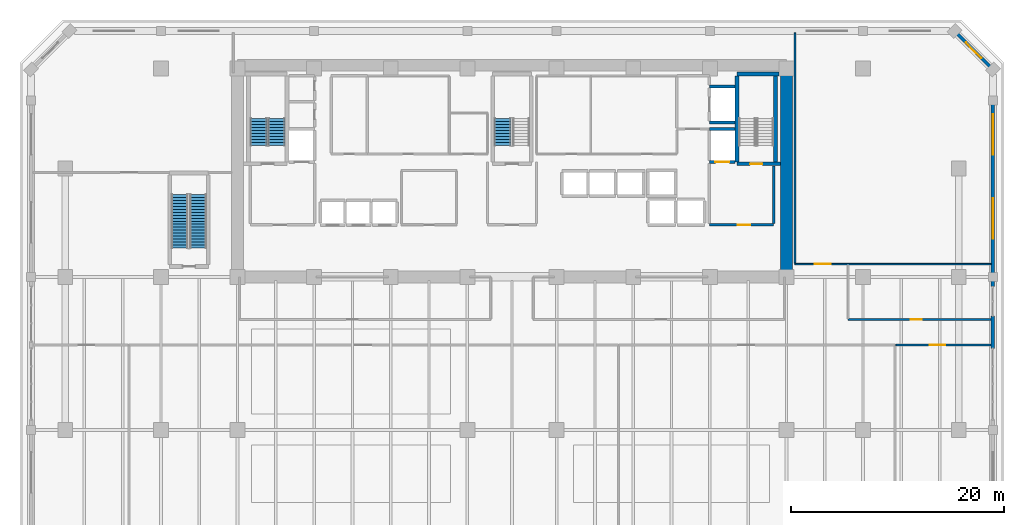
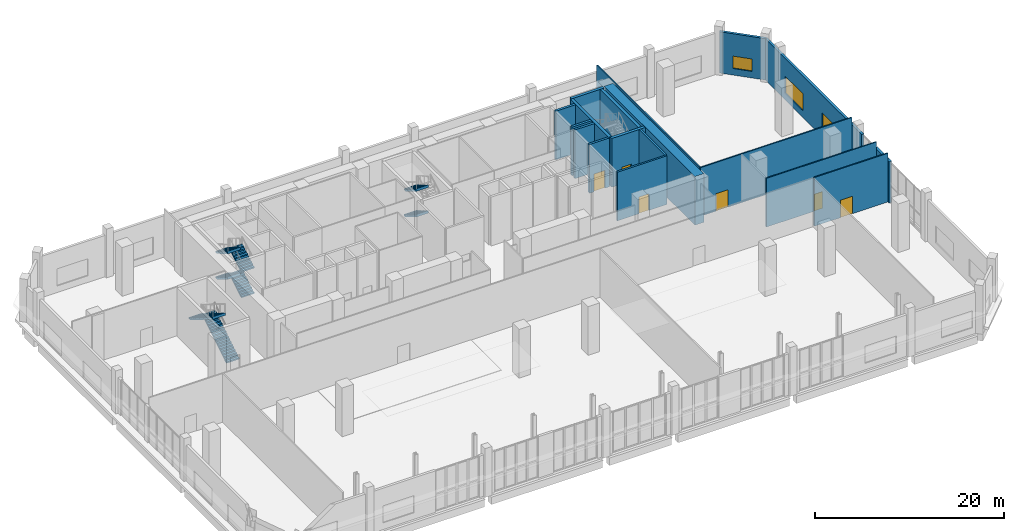
# One storey, part 25 of 29: 18 walls, 8 stair flights, 6 doors, 3 windows, 9 openings, 3 elements without a shape of their own.
"""IFC4 building model written with IfcOpenShell, lengths in metres."""

from ifc_helpers import new_model, si_unit, direction, frame, frame_2d, origin, place, context, subcontext, project, spatial, polyline, rectangle, outline, extrude, material, layer, layer_set, type_object, element, fill, aggregate, save


model = new_model("IFC4")

# Units and contexts
model_context = context("Model", 3, precision=1e-05, world=origin(), true_north=direction((0.0, 1.0)))
body_context = subcontext(model_context, "Body", "Model", "MODEL_VIEW")
ifc_project = project(units=[si_unit("LENGTHUNIT", "METRE"), si_unit("AREAUNIT", "SQUARE_METRE"), si_unit("VOLUMEUNIT", "CUBIC_METRE"), si_unit("PLANEANGLEUNIT", "RADIAN"), si_unit("MASSUNIT", "GRAM", prefix="KILO")], contexts=[model_context])

# Site, building, storey
site_placement = place(None, origin())
site = spatial("IfcSite", under=ifc_project, at=site_placement, CompositionType="ELEMENT")
building_placement = place(site_placement, origin())
building = spatial("IfcBuilding", under=site, at=building_placement, Name="Kaelvorn Grand Hotel", CompositionType="ELEMENT")
storey_placement = place(building_placement, frame((0.0, 0.0, 19.39990234375)))
storey = spatial("IfcBuildingStorey", under=building, at=storey_placement, Name="L03", CompositionType="ELEMENT", Elevation=19.39990234375)

# Walls
ifc_material_1 = material(Name="Concrete C80/95", Category="concrete")
ifc_layer_1 = layer(ifc_material_1, 1.10009765625)
ifc_layer_set_1 = layer_set([ifc_layer_1], Name="Concrete C80/95")
wall_type_1 = type_object("IfcWallType", Name="WL-CORE-1100-C80", PredefinedType="SHEAR", material=ifc_layer_set_1)
wall_1_placement = place(storey_placement, frame((67.800048828125, 29.39990234375, 0.0), z_axis=(0.0, 0.0, 1.0), x_axis=(0.0, 1.0, 0.0)))
element("IfcWall", 1, at=wall_1_placement, inside=storey, type_object=wall_type_1, Name="L03 Rear-Core East Shear Wall", PredefinedType="SHEAR", context=body_context, shape_type="SweptSolid", body=[
    extrude(rectangle(XDim=19.2001953125, YDim=1.10009765625, at=frame_2d((9.60009765625, 0.0))), origin(), (0.0, 0.0, 1.0), 6.280029296875),
])
ifc_material_2 = material(Name="Concrete C40/50", Category="concrete")
ifc_layer_2 = layer(ifc_material_2, 0.300048828125)
ifc_layer_set_2 = layer_set([ifc_layer_2], Name="Concrete C40/50")
wall_type_2 = type_object("IfcWallType", Name="WL-EXT-300-C40", PredefinedType="SOLIDWALL", material=ifc_layer_set_2)
wall_2_placement = place(storey_placement, frame((87.199951171875, 22.675048828125, 0.0), z_axis=(0.0, 0.0, 1.0), x_axis=(0.0, 1.0, 0.0)))
element("IfcWall", 2, at=wall_2_placement, inside=storey, type_object=wall_type_2, Name="L03 Exterior Architectural Concrete Wall 03 Pier 2", PredefinedType="SOLIDWALL", context=body_context, shape_type="SweptSolid", body=[
    extrude(rectangle(XDim=3.050048828125, YDim=0.300048828125, at=frame_2d((1.52490234375, 0.0))), origin(), (0.0, 0.0, 1.0), 5.330078125),
])

# Wall, openings, windows
wall_3_placement = place(storey_placement, frame((87.199951171875, 28.47509765625, 0.0), z_axis=(0.0, 0.0, 1.0), x_axis=(0.0, 1.0, 0.0)))
wall_3 = element("IfcWall", 3, at=wall_3_placement, inside=storey, type_object=wall_type_2, Name="L03 Exterior Architectural Concrete Wall 03 Pier 3", PredefinedType="SOLIDWALL", context=body_context, shape_type="SweptSolid", body=[
    extrude(rectangle(XDim=20.4248046875, YDim=0.300048828125, at=frame_2d((10.21240234375, 0.0))), origin(), (0.0, 0.0, 1.0), 5.330078125),
])
opening_1_placement = place(wall_3_placement, frame((4.52490234375, 0.0, 0.85009765625)))
opening_1 = element("IfcOpeningElement", 4, at=opening_1_placement, cuts=wall_3, Name="Opening W9", PredefinedType="OPENING", context=body_context, shape_type="SweptSolid", body=[
    extrude(rectangle(XDim=3.800048828125, YDim=2.199951171875, at=frame_2d((1.89990234375, 1.10009765625))), frame((0.0, 0.16015625, 0.0), z_axis=(0.0, -1.0, 0.0), x_axis=(1.0, 0.0, 0.0)), (0.0, 0.0, 1.0), 0.320068359375),
])
opening_2_placement = place(wall_3_placement, frame((12.425048828125, 0.0, 0.85009765625)))
opening_2 = element("IfcOpeningElement", 5, at=opening_2_placement, cuts=wall_3, Name="Opening W9", PredefinedType="OPENING", context=body_context, shape_type="SweptSolid", body=[
    extrude(rectangle(XDim=3.800048828125, YDim=2.199951171875, at=frame_2d((1.89990234375, 1.10009765625))), frame((0.0, 0.16015625, 0.0), z_axis=(0.0, -1.0, 0.0), x_axis=(1.0, 0.0, 0.0)), (0.0, 0.0, 1.0), 0.320068359375),
])
ifc_material_3 = material(Name="Laminated Low-E Glass", Category="glass")
window_type_1 = type_object("IfcWindowType", Name="WIN-POD-3800x2200", PartitioningType="SINGLE_PANEL", PredefinedType="WINDOW", material=ifc_material_3)
window_1_placement = place(opening_1_placement, origin())
window_1 = element("IfcWindow", 6, at=window_1_placement, inside=storey, type_object=window_type_1, Name="L03 Podium E Ribbon Window 1", OverallHeight=2.199951171875, OverallWidth=3.800048828125, PartitioningType="SINGLE_PANEL", PredefinedType="WINDOW", context=body_context, shape_type="SweptSolid", body=[
    extrude(rectangle(XDim=3.800048828125, YDim=2.199951171875, at=frame_2d((1.89990234375, 1.10009765625))), frame((0.0, 0.030029296875, 0.0), z_axis=(0.0, -1.0, 0.0), x_axis=(1.0, 0.0, 0.0)), (0.0, 0.0, 1.0), 0.06005859375),
])
fill(opening_1, window_1)
window_2_placement = place(opening_2_placement, origin())
window_2 = element("IfcWindow", 7, at=window_2_placement, inside=storey, type_object=window_type_1, Name="L03 Podium E Ribbon Window 2", OverallHeight=2.199951171875, OverallWidth=3.800048828125, PartitioningType="SINGLE_PANEL", PredefinedType="WINDOW", context=body_context, shape_type="SweptSolid", body=[
    extrude(rectangle(XDim=3.800048828125, YDim=2.199951171875, at=frame_2d((1.89990234375, 1.10009765625))), frame((0.0, 0.030029296875, 0.0), z_axis=(0.0, -1.0, 0.0), x_axis=(1.0, 0.0, 0.0)), (0.0, 0.0, 1.0), 0.06005859375),
])
fill(opening_2, window_2)

# Wall, opening, window
wall_4_placement = place(storey_placement, frame((87.199951171875, 48.89990234375, 0.0), z_axis=(0.0, 0.0, 1.0), x_axis=(-0.707082803744, 0.707130757816, 0.0)))
wall_4 = element("IfcWall", 8, at=wall_4_placement, inside=storey, type_object=wall_type_2, Name="L03 Exterior Architectural Concrete Wall 04", PredefinedType="SOLIDWALL", context=body_context, shape_type="SweptSolid", body=[
    extrude(rectangle(XDim=5.091064453125, YDim=0.300048828125, at=frame_2d((2.54541015625, 0.0))), origin(), (0.0, 0.0, 1.0), 5.330078125),
])
opening_3_placement = place(wall_4_placement, frame((1.49560546875, 0.0, 0.85009765625)))
opening_3 = element("IfcOpeningElement", 9, at=opening_3_placement, cuts=wall_4, Name="Opening W7", PredefinedType="OPENING", context=body_context, shape_type="SweptSolid", body=[
    extrude(rectangle(XDim=2.10009765625, YDim=1.60009765625, at=frame_2d((1.050048828125, 0.800048828125))), frame((0.0, 0.16015625, 0.0), z_axis=(0.0, -1.0, 0.0), x_axis=(1.0, 0.0, 0.0)), (0.0, 0.0, 1.0), 0.320068359375),
])
window_type_2 = type_object("IfcWindowType", Name="WIN-CHM-2100x1600", PartitioningType="SINGLE_PANEL", PredefinedType="WINDOW", material=ifc_material_3)
window_3_placement = place(opening_3_placement, origin())
window_3 = element("IfcWindow", 10, at=window_3_placement, inside=storey, type_object=window_type_2, Name="L03 Chamfered 45-Degree Corner Window NE", OverallHeight=1.60009765625, OverallWidth=2.10009765625, PartitioningType="SINGLE_PANEL", PredefinedType="WINDOW", context=body_context, shape_type="SweptSolid", body=[
    extrude(rectangle(XDim=2.10009765625, YDim=1.60009765625, at=frame_2d((1.050048828125, 0.800048828125))), frame((0.0, 0.030029296875, 0.0), z_axis=(0.0, -1.0, 0.0), x_axis=(1.0, 0.0, 0.0)), (0.0, 0.0, 1.0), 0.06005859375),
])
fill(opening_3, window_3)

# Wall, opening, door
ifc_material_4 = material(Name="Acoustic Gypsum & Stud Partition")
ifc_layer_3 = layer(ifc_material_4, 0.14990234375)
ifc_layer_set_3 = layer_set([ifc_layer_3], Name="Acoustic Gypsum & Stud Partition")
wall_type_3 = type_object("IfcWallType", Name="WL-PART-150-EI60", PredefinedType="PARTITIONING", material=ifc_layer_set_3)
wall_5_placement = place(storey_placement, frame((68.60009765625, 30.60009765625, 0.0), z_axis=(0.0, 0.0, 1.0), x_axis=(1.0, 0.0, 0.0)))
wall_5 = element("IfcWall", 11, at=wall_5_placement, inside=storey, type_object=wall_type_3, Name="L03 L03 North-East Hospitality Office & Prep Suite S Partition", PredefinedType="PARTITIONING", context=body_context, shape_type="SweptSolid", body=[
    extrude(rectangle(XDim=18.44482421875, YDim=0.14990234375, at=frame_2d((9.222412109375, 0.0))), origin(), (0.0, 0.0, 1.0), 6.280029296875),
])
opening_4_placement = place(wall_5_placement, frame((1.85009765625, 0.0, 0.0)))
opening_4 = element("IfcOpeningElement", 12, at=opening_4_placement, cuts=wall_5, Name="Opening DI5", PredefinedType="OPENING", context=body_context, shape_type="SweptSolid", body=[
    extrude(rectangle(XDim=1.5, YDim=2.25, at=frame_2d((0.75, 1.125))), frame((0.0, 0.0849609375, 0.0), z_axis=(0.0, -1.0, 0.0), x_axis=(1.0, 0.0, 0.0)), (0.0, 0.0, 1.0), 0.169921875),
])
ifc_material_5 = material(Name="Timber Veneer Fire Leaf", Category="wood")
door_type_1 = type_object("IfcDoorType", Name="DR-INT-SALON-1500x2250", OperationType="DOUBLE_DOOR_SINGLE_SWING", PredefinedType="DOOR", material=ifc_material_5)
door_1_placement = place(opening_4_placement, origin())
door_1 = element("IfcDoor", 13, at=door_1_placement, inside=storey, type_object=door_type_1, Name="L03 L03 North-East Hospitality Office & Prep Suite Door", OperationType="DOUBLE_DOOR_SINGLE_SWING", OverallHeight=2.25, OverallWidth=1.5, PredefinedType="DOOR", context=body_context, shape_type="SweptSolid", body=[
    extrude(rectangle(XDim=1.5, YDim=2.25, at=frame_2d((0.75, 1.125))), frame((0.0, 0.02490234375, 0.0), z_axis=(0.0, -1.0, 0.0), x_axis=(1.0, 0.0, 0.0)), (0.0, 0.0, 1.0), 0.050048828125),
])
fill(opening_4, door_1)

# Wall
wall_6_placement = place(storey_placement, frame((68.60009765625, 30.679931640625, 0.0), z_axis=(0.0, 0.0, 1.0), x_axis=(0.0, 1.0, 0.0)))
element("IfcWall", 14, at=wall_6_placement, inside=storey, type_object=wall_type_3, Name="L03 L03 North-East Hospitality Office & Prep Suite W Partition", PredefinedType="PARTITIONING", context=body_context, shape_type="SweptSolid", body=[
    extrude(rectangle(XDim=21.6650390625, YDim=0.14990234375, at=frame_2d((10.83251953125, 0.0))), origin(), (0.0, 0.0, 1.0), 6.280029296875),
])

# Wall, opening, door
wall_7_placement = place(storey_placement, frame((73.60009765625, 25.39990234375, 0.0), z_axis=(0.0, 0.0, 1.0), x_axis=(1.0, 0.0, 0.0)))
wall_7 = element("IfcWall", 15, at=wall_7_placement, inside=storey, type_object=wall_type_3, Name="L03 L03 East Podium Support Office S Partition", PredefinedType="PARTITIONING", context=body_context, shape_type="SweptSolid", body=[
    extrude(rectangle(XDim=13.44482421875, YDim=0.14990234375, at=frame_2d((6.722412109375, 0.0))), origin(), (0.0, 0.0, 1.0), 6.280029296875),
])
opening_5_placement = place(wall_7_placement, frame((5.89990234375, 0.0, 0.0)))
opening_5 = element("IfcOpeningElement", 16, at=opening_5_placement, cuts=wall_7, Name="Opening DI3", PredefinedType="OPENING", context=body_context, shape_type="SweptSolid", body=[
    extrude(rectangle(XDim=1.0, YDim=2.14990234375, at=frame_2d((0.5, 1.074951171875))), frame((0.0, 0.0849609375, 0.0), z_axis=(0.0, -1.0, 0.0), x_axis=(1.0, 0.0, 0.0)), (0.0, 0.0, 1.0), 0.169921875),
])
door_type_2 = type_object("IfcDoorType", Name="DR-INT-GUEST-1000x2150", OperationType="NOTDEFINED", PredefinedType="DOOR", material=ifc_material_5)
door_2_placement = place(opening_5_placement, origin())
door_2 = element("IfcDoor", 17, at=door_2_placement, inside=storey, type_object=door_type_2, Name="L03 L03 East Podium Support Office Door", OperationType="SINGLE_SWING_RIGHT", OverallHeight=2.14990234375, OverallWidth=1.0, PredefinedType="DOOR", context=body_context, shape_type="SweptSolid", body=[
    extrude(rectangle(XDim=1.0, YDim=2.14990234375, at=frame_2d((0.5, 1.074951171875))), frame((0.0, 0.02490234375, 0.0), z_axis=(0.0, -1.0, 0.0), x_axis=(1.0, 0.0, 0.0)), (0.0, 0.0, 1.0), 0.050048828125),
])
fill(opening_5, door_2)

wall_8_placement = place(storey_placement, frame((78.080078125, 23.0, 0.0), z_axis=(0.0, 0.0, 1.0), x_axis=(1.0, 0.0, 0.0)))
wall_8 = element("IfcWall", 18, at=wall_8_placement, inside=storey, type_object=wall_type_3, Name="L03 VIP Bridal & Function Salon N Partition", PredefinedType="PARTITIONING", context=body_context, shape_type="SweptSolid", body=[
    extrude(rectangle(XDim=8.96484375, YDim=0.14990234375, at=frame_2d((4.482421875, 0.0))), origin(), (0.0, 0.0, 1.0), 6.280029296875),
])
opening_6_placement = place(wall_8_placement, frame((3.169921875, 0.0, 0.0)))
opening_6 = element("IfcOpeningElement", 19, at=opening_6_placement, cuts=wall_8, Name="Opening DI5", PredefinedType="OPENING", context=body_context, shape_type="SweptSolid", body=[
    extrude(rectangle(XDim=1.5, YDim=2.25, at=frame_2d((0.75, 1.125))), frame((0.0, 0.0849609375, 0.0), z_axis=(0.0, -1.0, 0.0), x_axis=(1.0, 0.0, 0.0)), (0.0, 0.0, 1.0), 0.169921875),
])
door_3_placement = place(opening_6_placement, origin())
door_3 = element("IfcDoor", 20, at=door_3_placement, inside=storey, type_object=door_type_1, Name="L03 VIP Bridal & Function Salon Door", OperationType="DOUBLE_DOOR_SINGLE_SWING", OverallHeight=2.25, OverallWidth=1.5, PredefinedType="DOOR", context=body_context, shape_type="SweptSolid", body=[
    extrude(rectangle(XDim=1.5, YDim=2.25, at=frame_2d((0.75, 1.125))), frame((0.0, 0.02490234375, 0.0), z_axis=(0.0, -1.0, 0.0), x_axis=(1.0, 0.0, 0.0)), (0.0, 0.0, 1.0), 0.050048828125),
])
fill(opening_6, door_3)

ifc_layer_4 = layer(ifc_material_2, 0.219970703125)
ifc_layer_set_4 = layer_set([ifc_layer_4], Name="Concrete C40/50")
wall_type_4 = type_object("IfcWallType", Name="WL-PART-220-EI120", PredefinedType="PARTITIONING", material=ifc_layer_set_4)
wall_9_placement = place(storey_placement, frame((60.550048828125, 34.300048828125, 0.0), z_axis=(0.0, 0.0, 1.0), x_axis=(1.0, 0.0, 0.0)))
wall_9 = element("IfcWall", 21, at=wall_9_placement, inside=storey, type_object=wall_type_4, Name="L03 Firefighting Lift Lobby 2 S Partition", PredefinedType="PARTITIONING", context=body_context, shape_type="SweptSolid", body=[
    extrude(rectangle(XDim=6.050048828125, YDim=0.219970703125, at=frame_2d((3.02490234375, 0.0))), origin(), (0.0, 0.0, 1.0), 6.280029296875),
])
opening_7_placement = place(wall_9_placement, frame((2.64990234375, 0.0, 0.0)))
opening_7 = element("IfcOpeningElement", 22, at=opening_7_placement, cuts=wall_9, Name="Opening DI2", PredefinedType="OPENING", context=body_context, shape_type="SweptSolid", body=[
    extrude(rectangle(XDim=1.199951171875, YDim=2.14990234375, at=frame_2d((0.60009765625, 1.074951171875))), frame((0.0, 0.1201171875, 0.0), z_axis=(0.0, -1.0, 0.0), x_axis=(1.0, 0.0, 0.0)), (0.0, 0.0, 1.0), 0.239990234375),
])
door_type_3 = type_object("IfcDoorType", Name="DR-INT-FFLOB-1200x2150", OperationType="NOTDEFINED", PredefinedType="DOOR", material=ifc_material_5)
door_4_placement = place(opening_7_placement, origin())
door_4 = element("IfcDoor", 23, at=door_4_placement, inside=storey, type_object=door_type_3, Name="L03 Firefighting Lift Lobby 2 Door", OperationType="SINGLE_SWING_LEFT", OverallHeight=2.14990234375, OverallWidth=1.199951171875, PredefinedType="DOOR", context=body_context, shape_type="SweptSolid", body=[
    extrude(rectangle(XDim=1.199951171875, YDim=2.14990234375, at=frame_2d((0.60009765625, 1.074951171875))), frame((0.0, 0.02490234375, 0.0), z_axis=(0.0, -1.0, 0.0), x_axis=(1.0, 0.0, 0.0)), (0.0, 0.0, 1.0), 0.050048828125),
])
fill(opening_7, door_4)

# Wall
wall_10_placement = place(storey_placement, frame((66.60009765625, 34.4150390625, 0.0), z_axis=(0.0, 0.0, 1.0), x_axis=(0.0, 1.0, 0.0)))
element("IfcWall", 24, at=wall_10_placement, inside=storey, type_object=wall_type_4, Name="L03 Firefighting Lift Lobby 2 E Partition", PredefinedType="PARTITIONING", context=body_context, shape_type="SweptSolid", body=[
    extrude(rectangle(XDim=5.429931640625, YDim=0.219970703125, at=frame_2d((2.71484375, 0.0))), origin(), (0.0, 0.0, 1.0), 6.280029296875),
])

# Wall, opening, door
ifc_material_6 = material(Name="Concrete C50/60", Category="concrete")
ifc_layer_5 = layer(ifc_material_6, 0.280029296875)
ifc_layer_set_5 = layer_set([ifc_layer_5], Name="Concrete C50/60")
wall_type_5 = type_object("IfcWallType", Name="WL-SHAFT-280-C50", PredefinedType="SHEAR", material=ifc_layer_set_5)
wall_11_placement = place(storey_placement, frame((60.550048828125, 40.199951171875, 0.0), z_axis=(0.0, 0.0, 1.0), x_axis=(1.0, 0.0, 0.0)))
wall_11 = element("IfcWall", 25, at=wall_11_placement, inside=storey, type_object=wall_type_5, Name="L03 Lift FFL2 Shaft South Wall", PredefinedType="SHEAR", context=body_context, shape_type="SweptSolid", body=[
    extrude(rectangle(XDim=2.4150390625, YDim=0.280029296875, at=frame_2d((1.20751953125, 0.0))), origin(), (0.0, 0.0, 1.0), 6.280029296875),
])
opening_8_placement = place(wall_11_placement, frame((0.574951171875, 0.0, 0.0)))
opening_8 = element("IfcOpeningElement", 26, at=opening_8_placement, cuts=wall_11, Name="Opening LD-FFL2", PredefinedType="OPENING", context=body_context, shape_type="SweptSolid", body=[
    extrude(rectangle(XDim=1.300048828125, YDim=2.300048828125, at=frame_2d((0.64990234375, 1.14990234375))), frame((0.0, 0.14990234375, 0.0), z_axis=(0.0, -1.0, 0.0), x_axis=(1.0, 0.0, 0.0)), (0.0, 0.0, 1.0), 0.300048828125),
])
ifc_material_7 = material(Name="Stainless Steel", Category="steel")
door_type_4 = type_object("IfcDoorType", Name="DR-LIFT-SERV-1300x2300", OperationType="DOUBLE_DOOR_SLIDING", PredefinedType="DOOR", material=ifc_material_7)
door_5_placement = place(opening_8_placement, origin())
door_5 = element("IfcDoor", 27, at=door_5_placement, inside=storey, type_object=door_type_4, Name="L03 Lift FFL2 Sliding Landing Door LD-FFL2", OperationType="DOUBLE_DOOR_SLIDING", OverallHeight=2.300048828125, OverallWidth=1.300048828125, PredefinedType="DOOR", context=body_context, shape_type="SweptSolid", body=[
    extrude(rectangle(XDim=1.300048828125, YDim=2.300048828125, at=frame_2d((0.64990234375, 1.14990234375))), frame((0.0, 0.02490234375, 0.0), z_axis=(0.0, -1.0, 0.0), x_axis=(1.0, 0.0, 0.0)), (0.0, 0.0, 1.0), 0.050048828125),
])
fill(opening_8, door_5)

# Walls
for number, where, z_axis, x_axis, name in (
    (28, (60.550048828125, 43.300048828125, 0.0), (0.0, 0.0, 1.0), (1.0, 0.0, 0.0), "L03 Lift FFL2 Shaft North Wall"),
    (29, (60.550048828125, 43.89990234375, 0.0), (0.0, 0.0, 1.0), (1.0, 0.0, 0.0), "L03 Lift SV1 Shaft South Wall"),
    (30, (60.550048828125, 47.300048828125, 0.0), (0.0, 0.0, 1.0), (1.0, 0.0, 0.0), "L03 Lift SV1 Shaft North Wall"),
):
    element("IfcWall", number, at=place(storey_placement, frame(where, z_axis=z_axis, x_axis=x_axis)), inside=storey, type_object=wall_type_5, Name=name, PredefinedType="SHEAR", context=body_context, shape_type="SweptSolid", body=[
        extrude(rectangle(XDim=2.4150390625, YDim=0.280029296875, at=frame_2d((1.20751953125, 0.0))), origin(), (0.0, 0.0, 1.0), 6.280029296875),
    ])

# Wall, opening, door
ifc_material_8 = material(Name="Concrete C60/75", Category="concrete")
ifc_layer_6 = layer(ifc_material_8, 0.35009765625)
ifc_layer_set_6 = layer_set([ifc_layer_6], Name="Concrete C60/75")
wall_type_6 = type_object("IfcWallType", Name="WL-SHAFT-350-C60", PredefinedType="SHEAR", material=ifc_layer_set_6)
wall_12_placement = place(storey_placement, frame((63.14501953125, 40.02490234375, 0.0), z_axis=(0.0, 0.0, 1.0), x_axis=(1.0, 0.0, 0.0)))
wall_12 = element("IfcWall", 31, at=wall_12_placement, inside=storey, type_object=wall_type_6, Name="L03 ST3 Stair Shaft South Wall", PredefinedType="SHEAR", context=body_context, shape_type="SweptSolid", body=[
    extrude(rectangle(XDim=4.10009765625, YDim=0.35009765625, at=frame_2d((2.050048828125, 0.0))), origin(), (0.0, 0.0, 1.0), 6.280029296875),
])
opening_9_placement = place(wall_12_placement, frame((1.239990234375, 0.0, 0.0)))
opening_9 = element("IfcOpeningElement", 32, at=opening_9_placement, cuts=wall_12, Name="Opening DI1", PredefinedType="OPENING", context=body_context, shape_type="SweptSolid", body=[
    extrude(rectangle(XDim=1.14990234375, YDim=2.14990234375, at=frame_2d((0.574951171875, 1.074951171875))), frame((0.0, 0.18505859375, 0.0), z_axis=(0.0, -1.0, 0.0), x_axis=(1.0, 0.0, 0.0)), (0.0, 0.0, 1.0), 0.3701171875),
])
door_type_5 = type_object("IfcDoorType", Name="DR-INT-STAIR-1150x2150", OperationType="NOTDEFINED", PredefinedType="DOOR", material=ifc_material_5)
door_6_placement = place(opening_9_placement, origin())
door_6 = element("IfcDoor", 33, at=door_6_placement, inside=storey, type_object=door_type_5, Name="L03 ST3 Exit Stair Fire Door", OperationType="SINGLE_SWING_RIGHT", OverallHeight=2.14990234375, OverallWidth=1.14990234375, PredefinedType="DOOR", context=body_context, shape_type="SweptSolid", body=[
    extrude(rectangle(XDim=1.14990234375, YDim=2.14990234375, at=frame_2d((0.574951171875, 1.074951171875))), frame((0.0, 0.02490234375, 0.0), z_axis=(0.0, -1.0, 0.0), x_axis=(1.0, 0.0, 0.0)), (0.0, 0.0, 1.0), 0.050048828125),
])
fill(opening_9, door_6)

# Walls
wall_13_placement = place(storey_placement, frame((63.14501953125, 48.47509765625, 0.0), z_axis=(0.0, 0.0, 1.0), x_axis=(1.0, 0.0, 0.0)))
element("IfcWall", 34, at=wall_13_placement, inside=storey, type_object=wall_type_6, Name="L03 ST3 Stair Shaft North Wall", PredefinedType="SHEAR", context=body_context, shape_type="SweptSolid", body=[
    extrude(rectangle(XDim=3.949951171875, YDim=0.35009765625, at=frame_2d((1.97509765625, 0.0))), origin(), (0.0, 0.0, 1.0), 6.280029296875),
])
for number, where, z_axis, x_axis, name in (
    (35, (63.14501953125, 40.205078125, 0.0), (0.0, 0.0, 1.0), (0.0, 1.0, 0.0), "L03 ST3 Stair Shaft West Wall"),
    (36, (66.77490234375, 40.205078125, 0.0), (0.0, 0.0, 1.0), (0.0, 1.0, 0.0), "L03 ST3 Stair Shaft East Wall"),
):
    element("IfcWall", number, at=place(storey_placement, frame(where, z_axis=z_axis, x_axis=x_axis)), inside=storey, type_object=wall_type_6, Name=name, PredefinedType="SHEAR", context=body_context, shape_type="SweptSolid", body=[
        extrude(rectangle(XDim=8.08984375, YDim=0.35009765625, at=frame_2d((4.044921875, 0.0))), origin(), (0.0, 0.0, 1.0), 6.280029296875),
    ])

# Stair, stair flights
stair_type_1 = type_object("IfcStairType", Name="STR-DOG-1560-R05", PredefinedType="HALF_TURN_STAIR", material=ifc_material_2)
stair_1_placement = place(storey_placement, origin())
stair_1 = element("IfcStair", 37, at=stair_1_placement, inside=storey, type_object=stair_type_1, Name="L03 West Core Exit Stair ST1", PredefinedType="HALF_TURN_STAIR")
stair_flight_type_1 = type_object("IfcStairFlightType", Name="FLG-DOG-1560-R05", PredefinedType="STRAIGHT", material=ifc_material_2)
stair_flight_1_placement = place(storey_placement, frame((19.89990234375, 41.760009765625, 0.0), z_axis=(0.0, 0.0, 1.0), x_axis=(0.0, 1.0, 0.0)))
stair_flight_1 = element("IfcStairFlight", 38, at=stair_flight_1_placement, type_object=stair_flight_type_1, Name="ST1 flight 1", NumberOfRisers=10, NumberOfTreads=9, PredefinedType="STRAIGHT", RiserHeight=0.165, TreadLength=0.28, context=body_context, shape_type="SweptSolid", body=[
    extrude(outline(polyline([(-0.0048828125, 0.0), (-0.0048828125, 0.0400390625), (0.0, 0.1650390625), (0.280029296875, 0.1650390625), (0.280029296875, 0.330078125), (0.56005859375, 0.330078125), (0.56005859375, 0.4951171875), (0.840087890625, 0.4951171875), (0.840087890625, 0.659912109375), (1.1201171875, 0.659912109375), (1.1201171875, 0.824951171875), (1.39990234375, 0.824951171875), (1.39990234375, 0.989990234375), (1.679931640625, 0.989990234375), (1.679931640625, 1.155029296875), (1.9599609375, 1.155029296875), (1.9599609375, 1.320068359375), (2.239990234375, 1.320068359375), (2.239990234375, 1.485107421875), (2.52001953125, 1.485107421875), (2.52001953125, 1.64990234375), (2.52490234375, 1.64990234375), (2.52490234375, 1.31103515625), (0.295166015625, 0.0), (-0.0048828125, 0.0)])), frame((0.0, 0.780029296875, 0.0), z_axis=(0.0, -1.0, 0.0), x_axis=(1.0, 0.0, 0.0)), (0.0, 0.0, 1.0), 1.56005859375),
])
stair_flight_2_placement = place(storey_placement, frame((18.179931640625, 44.280029296875, 1.650146484375), z_axis=(0.0, 0.0, 1.0), x_axis=(0.0, -1.0, 0.0)))
stair_flight_2 = element("IfcStairFlight", 39, at=stair_flight_2_placement, type_object=stair_flight_type_1, Name="ST1 flight 2", NumberOfRisers=10, NumberOfTreads=9, PredefinedType="STRAIGHT", RiserHeight=0.165, TreadLength=0.28, context=body_context, shape_type="SweptSolid", body=[
    extrude(outline(polyline([(-0.0048828125, 0.0), (-0.0048828125, 0.0400390625), (0.0, 0.1650390625), (0.280029296875, 0.1650390625), (0.280029296875, 0.330078125), (0.56005859375, 0.330078125), (0.56005859375, 0.4951171875), (0.840087890625, 0.4951171875), (0.840087890625, 0.659912109375), (1.1201171875, 0.659912109375), (1.1201171875, 0.824951171875), (1.39990234375, 0.824951171875), (1.39990234375, 0.989990234375), (1.679931640625, 0.989990234375), (1.679931640625, 1.155029296875), (1.9599609375, 1.155029296875), (1.9599609375, 1.320068359375), (2.239990234375, 1.320068359375), (2.239990234375, 1.485107421875), (2.52001953125, 1.485107421875), (2.52001953125, 1.64990234375), (2.52490234375, 1.64990234375), (2.52490234375, 1.31103515625), (0.295166015625, 0.0), (-0.0048828125, 0.0)])), frame((0.0, 0.780029296875, 0.0), z_axis=(0.0, -1.0, 0.0), x_axis=(1.0, 0.0, 0.0)), (0.0, 0.0, 1.0), 1.56005859375),
])
stair_flight_3_placement = place(storey_placement, frame((19.89990234375, 41.760009765625, 3.300048828125), z_axis=(0.0, 0.0, 1.0), x_axis=(0.0, 1.0, 0.0)))
stair_flight_3 = element("IfcStairFlight", 40, at=stair_flight_3_placement, type_object=stair_flight_type_1, Name="ST1 flight 3", NumberOfRisers=10, NumberOfTreads=9, PredefinedType="STRAIGHT", RiserHeight=0.165, TreadLength=0.28, context=body_context, shape_type="SweptSolid", body=[
    extrude(outline(polyline([(-0.0048828125, 0.0), (-0.0048828125, 0.0400390625), (0.0, 0.1650390625), (0.280029296875, 0.1650390625), (0.280029296875, 0.330078125), (0.56005859375, 0.330078125), (0.56005859375, 0.4951171875), (0.840087890625, 0.4951171875), (0.840087890625, 0.659912109375), (1.1201171875, 0.659912109375), (1.1201171875, 0.824951171875), (1.39990234375, 0.824951171875), (1.39990234375, 0.989990234375), (1.679931640625, 0.989990234375), (1.679931640625, 1.155029296875), (1.9599609375, 1.155029296875), (1.9599609375, 1.320068359375), (2.239990234375, 1.320068359375), (2.239990234375, 1.485107421875), (2.52001953125, 1.485107421875), (2.52001953125, 1.64990234375), (2.52490234375, 1.64990234375), (2.52490234375, 1.31103515625), (0.295166015625, 0.0), (-0.0048828125, 0.0)])), frame((0.0, 0.780029296875, 0.0), z_axis=(0.0, -1.0, 0.0), x_axis=(1.0, 0.0, 0.0)), (0.0, 0.0, 1.0), 1.56005859375),
])
stair_flight_4_placement = place(storey_placement, frame((18.179931640625, 44.280029296875, 4.9501953125), z_axis=(0.0, 0.0, 1.0), x_axis=(0.0, -1.0, 0.0)))
stair_flight_4 = element("IfcStairFlight", 41, at=stair_flight_4_placement, type_object=stair_flight_type_1, Name="ST1 flight 4", NumberOfRisers=10, NumberOfTreads=9, PredefinedType="STRAIGHT", RiserHeight=0.165, TreadLength=0.28, context=body_context, shape_type="SweptSolid", body=[
    extrude(outline(polyline([(-0.0048828125, 0.0), (-0.0048828125, 0.0400390625), (0.0, 0.1650390625), (0.280029296875, 0.1650390625), (0.280029296875, 0.330078125), (0.56005859375, 0.330078125), (0.56005859375, 0.4951171875), (0.840087890625, 0.4951171875), (0.840087890625, 0.659912109375), (1.1201171875, 0.659912109375), (1.1201171875, 0.824951171875), (1.39990234375, 0.824951171875), (1.39990234375, 0.989990234375), (1.679931640625, 0.989990234375), (1.679931640625, 1.155029296875), (1.9599609375, 1.155029296875), (1.9599609375, 1.320068359375), (2.239990234375, 1.320068359375), (2.239990234375, 1.485107421875), (2.52001953125, 1.485107421875), (2.52001953125, 1.64990234375), (2.52490234375, 1.64990234375), (2.52490234375, 1.31103515625), (0.295166015625, 0.0), (-0.0048828125, 0.0)])), frame((0.0, 0.780029296875, 0.0), z_axis=(0.0, -1.0, 0.0), x_axis=(1.0, 0.0, 0.0)), (0.0, 0.0, 1.0), 1.56005859375),
])
aggregate(stair_1, [stair_flight_1, stair_flight_2, stair_flight_3, stair_flight_4])

stair_2_placement = place(storey_placement, origin())
stair_2 = element("IfcStair", 42, at=stair_2_placement, inside=storey, type_object=stair_type_1, Name="L03 Central Core Exit Stair ST2", PredefinedType="HALF_TURN_STAIR")
stair_flight_5_placement = place(storey_placement, frame((41.139892578125, 44.280029296875, 1.650146484375), z_axis=(0.0, 0.0, 1.0), x_axis=(0.0, -1.0, 0.0)))
stair_flight_5 = element("IfcStairFlight", 43, at=stair_flight_5_placement, type_object=stair_flight_type_1, Name="ST2 flight 2", NumberOfRisers=10, NumberOfTreads=9, PredefinedType="STRAIGHT", RiserHeight=0.165, TreadLength=0.28, context=body_context, shape_type="SweptSolid", body=[
    extrude(outline(polyline([(-0.0048828125, 0.0), (-0.0048828125, 0.0400390625), (0.0, 0.1650390625), (0.280029296875, 0.1650390625), (0.280029296875, 0.330078125), (0.56005859375, 0.330078125), (0.56005859375, 0.4951171875), (0.840087890625, 0.4951171875), (0.840087890625, 0.659912109375), (1.1201171875, 0.659912109375), (1.1201171875, 0.824951171875), (1.39990234375, 0.824951171875), (1.39990234375, 0.989990234375), (1.679931640625, 0.989990234375), (1.679931640625, 1.155029296875), (1.9599609375, 1.155029296875), (1.9599609375, 1.320068359375), (2.239990234375, 1.320068359375), (2.239990234375, 1.485107421875), (2.52001953125, 1.485107421875), (2.52001953125, 1.64990234375), (2.52490234375, 1.64990234375), (2.52490234375, 1.31103515625), (0.295166015625, 0.0), (-0.0048828125, 0.0)])), frame((0.0, 0.780029296875, 0.0), z_axis=(0.0, -1.0, 0.0), x_axis=(1.0, 0.0, 0.0)), (0.0, 0.0, 1.0), 1.56005859375),
])
stair_flight_6_placement = place(storey_placement, frame((41.139892578125, 44.280029296875, 4.9501953125), z_axis=(0.0, 0.0, 1.0), x_axis=(0.0, -1.0, 0.0)))
stair_flight_6 = element("IfcStairFlight", 44, at=stair_flight_6_placement, type_object=stair_flight_type_1, Name="ST2 flight 4", NumberOfRisers=10, NumberOfTreads=9, PredefinedType="STRAIGHT", RiserHeight=0.165, TreadLength=0.28, context=body_context, shape_type="SweptSolid", body=[
    extrude(outline(polyline([(-0.0048828125, 0.0), (-0.0048828125, 0.0400390625), (0.0, 0.1650390625), (0.280029296875, 0.1650390625), (0.280029296875, 0.330078125), (0.56005859375, 0.330078125), (0.56005859375, 0.4951171875), (0.840087890625, 0.4951171875), (0.840087890625, 0.659912109375), (1.1201171875, 0.659912109375), (1.1201171875, 0.824951171875), (1.39990234375, 0.824951171875), (1.39990234375, 0.989990234375), (1.679931640625, 0.989990234375), (1.679931640625, 1.155029296875), (1.9599609375, 1.155029296875), (1.9599609375, 1.320068359375), (2.239990234375, 1.320068359375), (2.239990234375, 1.485107421875), (2.52001953125, 1.485107421875), (2.52001953125, 1.64990234375), (2.52490234375, 1.64990234375), (2.52490234375, 1.31103515625), (0.295166015625, 0.0), (-0.0048828125, 0.0)])), frame((0.0, 0.780029296875, 0.0), z_axis=(0.0, -1.0, 0.0), x_axis=(1.0, 0.0, 0.0)), (0.0, 0.0, 1.0), 1.56005859375),
])
aggregate(stair_2, [stair_flight_5, stair_flight_6])

stair_type_2 = type_object("IfcStairType", Name="STR-DOG-1560-R13", PredefinedType="HALF_TURN_STAIR", material=ifc_material_2)
stair_3_placement = place(storey_placement, origin())
stair_3 = element("IfcStair", 45, at=stair_3_placement, inside=storey, type_object=stair_type_2, Name="L03 Podium Grand Stair ST4", PredefinedType="HALF_TURN_STAIR")
stair_flight_type_2 = type_object("IfcStairFlightType", Name="FLG-DOG-1560-R13", PredefinedType="STRAIGHT", material=ifc_material_2)
stair_flight_7_placement = place(storey_placement, frame((12.5, 32.110107421875, 0.0), z_axis=(0.0, 0.0, 1.0), x_axis=(0.0, 1.0, 0.0)))
stair_flight_7 = element("IfcStairFlight", 46, at=stair_flight_7_placement, type_object=stair_flight_type_2, Name="ST4 flight 1", NumberOfRisers=19, NumberOfTreads=18, PredefinedType="STRAIGHT", RiserHeight=0.173684211, TreadLength=0.28, context=body_context, shape_type="SweptSolid", body=[
    extrude(outline(polyline([(-0.0048828125, 0.0), (-0.0048828125, 0.0400390625), (0.0, 0.173583984375), (0.280029296875, 0.173583984375), (0.280029296875, 0.347412109375), (0.56005859375, 0.347412109375), (0.56005859375, 0.52099609375), (0.840087890625, 0.52099609375), (0.840087890625, 0.69482421875), (1.1201171875, 0.69482421875), (1.1201171875, 0.868408203125), (1.39990234375, 0.868408203125), (1.39990234375, 1.0419921875), (1.679931640625, 1.0419921875), (1.679931640625, 1.2158203125), (1.9599609375, 1.2158203125), (1.9599609375, 1.389404296875), (2.239990234375, 1.389404296875), (2.239990234375, 1.563232421875), (2.52001953125, 1.563232421875), (2.52001953125, 1.73681640625), (2.800048828125, 1.73681640625), (2.800048828125, 1.91064453125), (3.080078125, 1.91064453125), (3.080078125, 2.084228515625), (3.360107421875, 2.084228515625), (3.360107421875, 2.2578125), (3.639892578125, 2.2578125), (3.639892578125, 2.431640625), (3.919921875, 2.431640625), (3.919921875, 2.605224609375), (4.199951171875, 2.605224609375), (4.199951171875, 2.779052734375), (4.47998046875, 2.779052734375), (4.47998046875, 2.95263671875), (4.760009765625, 2.95263671875), (4.760009765625, 3.126220703125), (5.0400390625, 3.126220703125), (5.0400390625, 3.300048828125), (5.044921875, 3.300048828125), (5.044921875, 2.949951171875), (0.284423828125, 0.0), (-0.0048828125, 0.0)])), frame((0.0, 0.780029296875, 0.0), z_axis=(0.0, -1.0, 0.0), x_axis=(1.0, 0.0, 0.0)), (0.0, 0.0, 1.0), 1.56005859375),
])
stair_flight_8_placement = place(storey_placement, frame((10.780029296875, 37.14990234375, 3.300048828125), z_axis=(0.0, 0.0, 1.0), x_axis=(0.0, -1.0, 0.0)))
stair_flight_8 = element("IfcStairFlight", 47, at=stair_flight_8_placement, type_object=stair_flight_type_2, Name="ST4 flight 2", NumberOfRisers=19, NumberOfTreads=18, PredefinedType="STRAIGHT", RiserHeight=0.173684211, TreadLength=0.28, context=body_context, shape_type="SweptSolid", body=[
    extrude(outline(polyline([(-0.0048828125, 0.0), (-0.0048828125, 0.0400390625), (0.0, 0.173583984375), (0.280029296875, 0.173583984375), (0.280029296875, 0.347412109375), (0.56005859375, 0.347412109375), (0.56005859375, 0.52099609375), (0.840087890625, 0.52099609375), (0.840087890625, 0.69482421875), (1.1201171875, 0.69482421875), (1.1201171875, 0.868408203125), (1.39990234375, 0.868408203125), (1.39990234375, 1.0419921875), (1.679931640625, 1.0419921875), (1.679931640625, 1.2158203125), (1.9599609375, 1.2158203125), (1.9599609375, 1.389404296875), (2.239990234375, 1.389404296875), (2.239990234375, 1.563232421875), (2.52001953125, 1.563232421875), (2.52001953125, 1.73681640625), (2.800048828125, 1.73681640625), (2.800048828125, 1.91064453125), (3.080078125, 1.91064453125), (3.080078125, 2.084228515625), (3.360107421875, 2.084228515625), (3.360107421875, 2.2578125), (3.639892578125, 2.2578125), (3.639892578125, 2.431640625), (3.919921875, 2.431640625), (3.919921875, 2.605224609375), (4.199951171875, 2.605224609375), (4.199951171875, 2.779052734375), (4.47998046875, 2.779052734375), (4.47998046875, 2.95263671875), (4.760009765625, 2.95263671875), (4.760009765625, 3.126220703125), (5.0400390625, 3.126220703125), (5.0400390625, 3.300048828125), (5.044921875, 3.300048828125), (5.044921875, 2.949951171875), (0.284423828125, 0.0), (-0.0048828125, 0.0)])), frame((0.0, 0.780029296875, 0.0), z_axis=(0.0, -1.0, 0.0), x_axis=(1.0, 0.0, 0.0)), (0.0, 0.0, 1.0), 1.56005859375),
])
aggregate(stair_3, [stair_flight_7, stair_flight_8])

save(model, "model.ifc")
